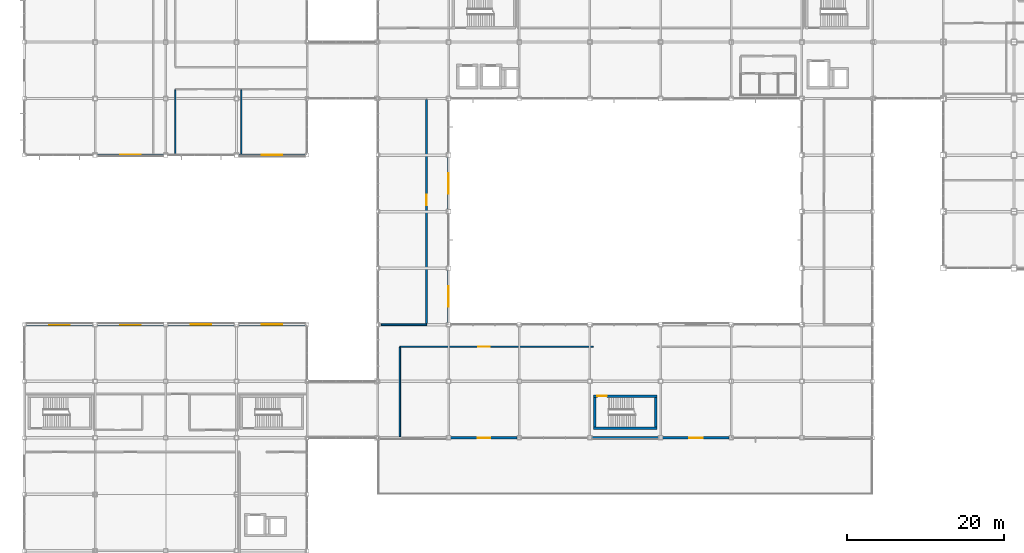
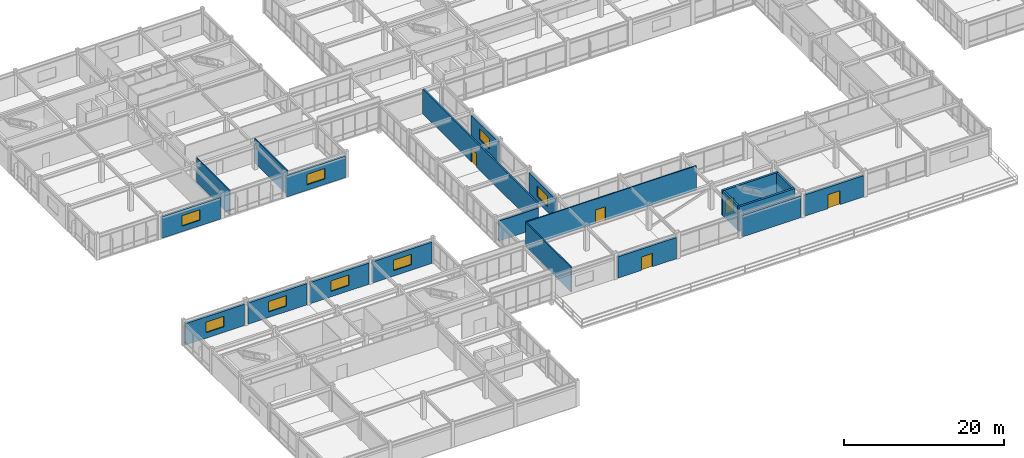
# One storey, part 99 of 122: 21 walls, 8 windows, 5 doors, 13 openings.
"""IFC4 building model written with IfcOpenShell, lengths in metres."""

from ifc_helpers import new_model, si_unit, direction, frame, frame_2d, origin, place, context, subcontext, project, spatial, rectangle, extrude, material, layer, layer_set, type_object, element, fill, save


model = new_model("IFC4")

# Units and contexts
model_context = context("Model", 3, precision=1e-05, world=origin(), true_north=direction((0.0, 1.0)))
body_context = subcontext(model_context, "Body", "Model", "MODEL_VIEW")
ifc_project = project(units=[si_unit("LENGTHUNIT", "METRE"), si_unit("AREAUNIT", "SQUARE_METRE"), si_unit("VOLUMEUNIT", "CUBIC_METRE"), si_unit("PLANEANGLEUNIT", "RADIAN"), si_unit("MASSUNIT", "GRAM", prefix="KILO")], contexts=[model_context])

# Site, building, storey
site_placement = place(None, origin())
site = spatial("IfcSite", under=ifc_project, at=site_placement, CompositionType="ELEMENT")
building_placement = place(site_placement, origin())
building = spatial("IfcBuilding", under=site, at=building_placement, Name="Kazanami Central Library", CompositionType="ELEMENT")
storey_placement = place(building_placement, frame((0.0, 0.0, 4.800048828125)))
storey = spatial("IfcBuildingStorey", under=building, at=storey_placement, Name="L02", CompositionType="ELEMENT", Elevation=4.800048828125)

# Wall, opening, window
ifc_material_1 = material(Name="Concrete Fc36 (36 MPa)", Category="concrete")
ifc_layer_1 = layer(ifc_material_1, 0.219970703125, Name="Concrete Fc36 (36 MPa)")
ifc_material_2 = material(Name="Extruded Polystyrene XPS", Category="earth")
ifc_layer_2 = layer(ifc_material_2, 0.050048828125, Name="Extruded Polystyrene XPS")
ifc_material_3 = material(Name="Honed Inada Granite", Category="masonry")
ifc_layer_3 = layer(ifc_material_3, 0.030029296875, Name="Honed Inada Granite")
ifc_layer_set_1 = layer_set([ifc_layer_1, ifc_layer_2, ifc_layer_3], Name="Concrete Fc36 (36 MPa)")
wall_type_1 = type_object("IfcWallType", Name="WAL-EW-300", PredefinedType="STANDARD", material=ifc_layer_set_1)
wall_1_placement = place(storey_placement, frame((54.0, 42.925048828125, 0.0), z_axis=(0.0, 0.0, 1.0), x_axis=(0.0, -1.0, 0.0)))
wall_1 = element("IfcWall", 1, at=wall_1_placement, inside=storey, type_object=wall_type_1, Name="Exterior Facade Wall EW-300 L02 E-7-05", PredefinedType="STANDARD", context=body_context, shape_type="SweptSolid", body=[
    extrude(rectangle(XDim=6.650146484375, YDim=0.300048828125, at=frame_2d((3.3251953125, 0.0))), origin(), (0.0, 0.0, 1.0), 3.2548828125),
])
opening_1_placement = place(wall_1_placement, frame((2.02490234375, 0.0, 0.85009765625)))
opening_1 = element("IfcOpeningElement", 2, at=opening_1_placement, cuts=wall_1, Name="Opening WN-13", PredefinedType="OPENING", context=body_context, shape_type="SweptSolid", body=[
    extrude(rectangle(XDim=2.60009765625, YDim=1.60009765625, at=frame_2d((1.300048828125, 0.800048828125))), frame((0.0, 0.162109375, 0.0), z_axis=(0.0, -1.0, 0.0), x_axis=(1.0, 0.0, 0.0)), (0.0, 0.0, 1.0), 0.323974609375),
])
ifc_material_4 = material(Name="Low-E Insulated Triple Glass", Category="glass")
window_type = type_object("IfcWindowType", Name="WIN-WN-13", PartitioningType="DOUBLE_PANEL_VERTICAL", PredefinedType="WINDOW", material=ifc_material_4)
window_1_placement = place(opening_1_placement, origin())
window_1 = element("IfcWindow", 3, at=window_1_placement, inside=storey, type_object=window_type, Name="Facade Window WN-13 L02 E-7-05", OverallHeight=1.60009765625, OverallWidth=2.60009765625, PartitioningType="DOUBLE_PANEL_VERTICAL", PredefinedType="WINDOW", context=body_context, shape_type="SweptSolid", body=[
    extrude(rectangle(XDim=2.60009765625, YDim=1.60009765625, at=frame_2d((1.300048828125, 0.800048828125))), frame((0.0, 0.030029296875, 0.0), z_axis=(0.0, -1.0, 0.0), x_axis=(1.0, 0.0, 0.0)), (0.0, 0.0, 1.0), 0.06005859375),
])
fill(opening_1, window_1)

wall_2_placement = place(storey_placement, frame((54.0, 57.324951171875, 0.0), z_axis=(0.0, 0.0, 1.0), x_axis=(0.0, -1.0, 0.0)))
wall_2 = element("IfcWall", 4, at=wall_2_placement, inside=storey, type_object=wall_type_1, Name="Exterior Facade Wall EW-300 L02 E-7-07", PredefinedType="STANDARD", context=body_context, shape_type="SweptSolid", body=[
    extrude(rectangle(XDim=6.64990234375, YDim=0.300048828125, at=frame_2d((3.324951171875, 0.0))), origin(), (0.0, 0.0, 1.0), 3.2548828125),
])
opening_2_placement = place(wall_2_placement, frame((2.02490234375, 0.0, 0.85009765625)))
opening_2 = element("IfcOpeningElement", 5, at=opening_2_placement, cuts=wall_2, Name="Opening WN-13", PredefinedType="OPENING", context=body_context, shape_type="SweptSolid", body=[
    extrude(rectangle(XDim=2.60009765625, YDim=1.60009765625, at=frame_2d((1.300048828125, 0.800048828125))), frame((0.0, 0.162109375, 0.0), z_axis=(0.0, -1.0, 0.0), x_axis=(1.0, 0.0, 0.0)), (0.0, 0.0, 1.0), 0.323974609375),
])
window_2_placement = place(opening_2_placement, origin())
window_2 = element("IfcWindow", 6, at=window_2_placement, inside=storey, type_object=window_type, Name="Facade Window WN-13 L02 E-7-07", OverallHeight=1.60009765625, OverallWidth=2.60009765625, PartitioningType="DOUBLE_PANEL_VERTICAL", PredefinedType="WINDOW", context=body_context, shape_type="SweptSolid", body=[
    extrude(rectangle(XDim=2.60009765625, YDim=1.60009765625, at=frame_2d((1.300048828125, 0.800048828125))), frame((0.0, 0.030029296875, 0.0), z_axis=(0.0, -1.0, 0.0), x_axis=(1.0, 0.0, 0.0)), (0.0, 0.0, 1.0), 0.06005859375),
])
fill(opening_2, window_2)

# Wall, opening, door
ifc_layer_4 = layer(ifc_material_1, 0.239990234375, Name="Concrete Fc36 (36 MPa)")
ifc_layer_5 = layer(ifc_material_2, 0.050048828125, Name="Extruded Polystyrene XPS")
ifc_layer_6 = layer(ifc_material_3, 0.030029296875, Name="Honed Inada Granite")
ifc_layer_set_2 = layer_set([ifc_layer_4, ifc_layer_5, ifc_layer_6], Name="Concrete Fc36 (36 MPa)")
wall_type_2 = type_object("IfcWallType", Name="WAL-EW-320", PredefinedType="STANDARD", material=ifc_layer_set_2)
wall_3_placement = place(storey_placement, frame((54.27490234375, 21.60009765625, 0.0), z_axis=(0.0, 0.0, 1.0), x_axis=(1.0, 0.0, 0.0)))
wall_3 = element("IfcWall", 7, at=wall_3_placement, inside=storey, type_object=wall_type_2, Name="Exterior Facade Wall EW-320 L02 S-D-06", PredefinedType="STANDARD", context=body_context, shape_type="SweptSolid", body=[
    extrude(rectangle(XDim=8.4501953125, YDim=0.320068359375, at=frame_2d((4.22509765625, 0.0))), origin(), (0.0, 0.0, 1.0), 3.2548828125),
])
opening_3_placement = place(wall_3_placement, frame((3.425048828125, 0.0, 0.0)))
opening_3 = element("IfcOpeningElement", 8, at=opening_3_placement, cuts=wall_3, Name="Opening ED-T3", PredefinedType="OPENING", context=body_context, shape_type="SweptSolid", body=[
    extrude(rectangle(XDim=1.60009765625, YDim=2.050048828125, at=frame_2d((0.800048828125, 1.02490234375))), frame((0.0, 0.171875, 0.0), z_axis=(0.0, -1.0, 0.0), x_axis=(1.0, 0.0, 0.0)), (0.0, 0.0, 1.0), 0.343994140625),
])
ifc_material_5 = material(Name="Anodised Aluminium A6063-T5", Category="aluminium")
door_type_1 = type_object("IfcDoorType", Name="DOR-ED-T3", OperationType="DOUBLE_DOOR_SINGLE_SWING", PredefinedType="DOOR", material=ifc_material_5)
door_1_placement = place(opening_3_placement, frame((1.60009765625, 0.0, 0.0), z_axis=(0.0, 0.0, 1.0), x_axis=(-1.0, 0.0, 0.0)))
door_1 = element("IfcDoor", 9, at=door_1_placement, inside=storey, type_object=door_type_1, Name="Reading Terrace Access Door L02 S-D-06", OperationType="DOUBLE_DOOR_SINGLE_SWING", OverallHeight=2.050048828125, OverallWidth=1.60009765625, PredefinedType="DOOR", context=body_context, shape_type="SweptSolid", body=[
    extrude(rectangle(XDim=1.60009765625, YDim=2.050048828125, at=frame_2d((0.800048828125, 1.02490234375))), frame((0.0, 0.02490234375, 0.0), z_axis=(0.0, -1.0, 0.0), x_axis=(1.0, 0.0, 0.0)), (0.0, 0.0, 1.0), 0.050048828125),
])
fill(opening_3, door_1)

# Wall
wall_4_placement = place(storey_placement, frame((72.27490234375, 21.60009765625, 0.0), z_axis=(0.0, 0.0, 1.0), x_axis=(1.0, 0.0, 0.0)))
element("IfcWall", 10, at=wall_4_placement, inside=storey, type_object=wall_type_2, Name="Exterior Facade Wall EW-320 L02 S-D-08", PredefinedType="STANDARD", context=body_context, shape_type="SweptSolid", body=[
    extrude(rectangle(XDim=8.4501953125, YDim=0.320068359375, at=frame_2d((4.22509765625, 0.0))), origin(), (0.0, 0.0, 1.0), 3.2548828125),
])

# Wall, opening, door
wall_5_placement = place(storey_placement, frame((81.27490234375, 21.60009765625, 0.0), z_axis=(0.0, 0.0, 1.0), x_axis=(1.0, 0.0, 0.0)))
wall_5 = element("IfcWall", 11, at=wall_5_placement, inside=storey, type_object=wall_type_2, Name="Exterior Facade Wall EW-320 L02 S-D-09", PredefinedType="STANDARD", context=body_context, shape_type="SweptSolid", body=[
    extrude(rectangle(XDim=8.4501953125, YDim=0.320068359375, at=frame_2d((4.22509765625, 0.0))), origin(), (0.0, 0.0, 1.0), 3.2548828125),
])
opening_4_placement = place(wall_5_placement, frame((3.35009765625, 0.0, 0.0)))
opening_4 = element("IfcOpeningElement", 12, at=opening_4_placement, cuts=wall_5, Name="Opening ED-T6", PredefinedType="OPENING", context=body_context, shape_type="SweptSolid", body=[
    extrude(rectangle(XDim=1.75, YDim=2.1201171875, at=frame_2d((0.875, 1.06005859375))), frame((0.0, 0.171875, 0.0), z_axis=(0.0, -1.0, 0.0), x_axis=(1.0, 0.0, 0.0)), (0.0, 0.0, 1.0), 0.343994140625),
])
door_type_2 = type_object("IfcDoorType", Name="DOR-ED-T6", OperationType="DOUBLE_DOOR_SINGLE_SWING", PredefinedType="DOOR", material=ifc_material_5)
door_2_placement = place(opening_4_placement, frame((1.75, 0.0, 0.0), z_axis=(0.0, 0.0, 1.0), x_axis=(-1.0, 0.0, 0.0)))
door_2 = element("IfcDoor", 13, at=door_2_placement, inside=storey, type_object=door_type_2, Name="Reading Terrace Access Door L02 S-D-09", OperationType="DOUBLE_DOOR_SINGLE_SWING", OverallHeight=2.1201171875, OverallWidth=1.75, PredefinedType="DOOR", context=body_context, shape_type="SweptSolid", body=[
    extrude(rectangle(XDim=1.75, YDim=2.1201171875, at=frame_2d((0.875, 1.06005859375))), frame((0.0, 0.02490234375, 0.0), z_axis=(0.0, -1.0, 0.0), x_axis=(1.0, 0.0, 0.0)), (0.0, 0.0, 1.0), 0.050048828125),
])
fill(opening_4, door_2)

# Wall, opening, window
wall_6_placement = place(storey_placement, frame((8.72509765625, 36.0, 0.0), z_axis=(0.0, 0.0, 1.0), x_axis=(-1.0, 0.0, 0.0)))
wall_6 = element("IfcWall", 14, at=wall_6_placement, inside=storey, type_object=wall_type_2, Name="Exterior Facade Wall EW-320 L02 N-F-00", PredefinedType="STANDARD", context=body_context, shape_type="SweptSolid", body=[
    extrude(rectangle(XDim=8.5, YDim=0.320068359375, at=frame_2d((4.25, 0.0))), origin(), (0.0, 0.0, 1.0), 3.2548828125),
])
opening_5_placement = place(wall_6_placement, frame((2.949951171875, 0.0, 0.85009765625)))
opening_5 = element("IfcOpeningElement", 15, at=opening_5_placement, cuts=wall_6, Name="Opening WN-13", PredefinedType="OPENING", context=body_context, shape_type="SweptSolid", body=[
    extrude(rectangle(XDim=2.60009765625, YDim=1.60009765625, at=frame_2d((1.300048828125, 0.800048828125))), frame((0.0, 0.171875, 0.0), z_axis=(0.0, -1.0, 0.0), x_axis=(1.0, 0.0, 0.0)), (0.0, 0.0, 1.0), 0.343994140625),
])
window_3_placement = place(opening_5_placement, origin())
window_3 = element("IfcWindow", 16, at=window_3_placement, inside=storey, type_object=window_type, Name="Facade Window WN-13 L02 N-F-00", OverallHeight=1.60009765625, OverallWidth=2.60009765625, PartitioningType="DOUBLE_PANEL_VERTICAL", PredefinedType="WINDOW", context=body_context, shape_type="SweptSolid", body=[
    extrude(rectangle(XDim=2.60009765625, YDim=1.60009765625, at=frame_2d((1.300048828125, 0.800048828125))), frame((0.0, 0.030029296875, 0.0), z_axis=(0.0, -1.0, 0.0), x_axis=(1.0, 0.0, 0.0)), (0.0, 0.0, 1.0), 0.06005859375),
])
fill(opening_5, window_3)

wall_7_placement = place(storey_placement, frame((17.72509765625, 36.0, 0.0), z_axis=(0.0, 0.0, 1.0), x_axis=(-1.0, 0.0, 0.0)))
wall_7 = element("IfcWall", 17, at=wall_7_placement, inside=storey, type_object=wall_type_2, Name="Exterior Facade Wall EW-320 L02 N-F-01", PredefinedType="STANDARD", context=body_context, shape_type="SweptSolid", body=[
    extrude(rectangle(XDim=8.4501953125, YDim=0.320068359375, at=frame_2d((4.22509765625, 0.0))), origin(), (0.0, 0.0, 1.0), 3.2548828125),
])
opening_6_placement = place(wall_7_placement, frame((2.925048828125, 0.0, 0.85009765625)))
opening_6 = element("IfcOpeningElement", 18, at=opening_6_placement, cuts=wall_7, Name="Opening WN-13", PredefinedType="OPENING", context=body_context, shape_type="SweptSolid", body=[
    extrude(rectangle(XDim=2.60009765625, YDim=1.60009765625, at=frame_2d((1.300048828125, 0.800048828125))), frame((0.0, 0.171875, 0.0), z_axis=(0.0, -1.0, 0.0), x_axis=(1.0, 0.0, 0.0)), (0.0, 0.0, 1.0), 0.343994140625),
])
window_4_placement = place(opening_6_placement, origin())
window_4 = element("IfcWindow", 19, at=window_4_placement, inside=storey, type_object=window_type, Name="Facade Window WN-13 L02 N-F-01", OverallHeight=1.60009765625, OverallWidth=2.60009765625, PartitioningType="DOUBLE_PANEL_VERTICAL", PredefinedType="WINDOW", context=body_context, shape_type="SweptSolid", body=[
    extrude(rectangle(XDim=2.60009765625, YDim=1.60009765625, at=frame_2d((1.300048828125, 0.800048828125))), frame((0.0, 0.030029296875, 0.0), z_axis=(0.0, -1.0, 0.0), x_axis=(1.0, 0.0, 0.0)), (0.0, 0.0, 1.0), 0.06005859375),
])
fill(opening_6, window_4)

wall_8_placement = place(storey_placement, frame((26.72509765625, 36.0, 0.0), z_axis=(0.0, 0.0, 1.0), x_axis=(-1.0, 0.0, 0.0)))
wall_8 = element("IfcWall", 20, at=wall_8_placement, inside=storey, type_object=wall_type_2, Name="Exterior Facade Wall EW-320 L02 N-F-02", PredefinedType="STANDARD", context=body_context, shape_type="SweptSolid", body=[
    extrude(rectangle(XDim=8.4501953125, YDim=0.320068359375, at=frame_2d((4.22509765625, 0.0))), origin(), (0.0, 0.0, 1.0), 3.2548828125),
])
opening_7_placement = place(wall_8_placement, frame((2.925048828125, 0.0, 0.85009765625)))
opening_7 = element("IfcOpeningElement", 21, at=opening_7_placement, cuts=wall_8, Name="Opening WN-13", PredefinedType="OPENING", context=body_context, shape_type="SweptSolid", body=[
    extrude(rectangle(XDim=2.60009765625, YDim=1.60009765625, at=frame_2d((1.300048828125, 0.800048828125))), frame((0.0, 0.171875, 0.0), z_axis=(0.0, -1.0, 0.0), x_axis=(1.0, 0.0, 0.0)), (0.0, 0.0, 1.0), 0.343994140625),
])
window_5_placement = place(opening_7_placement, origin())
window_5 = element("IfcWindow", 22, at=window_5_placement, inside=storey, type_object=window_type, Name="Facade Window WN-13 L02 N-F-02", OverallHeight=1.60009765625, OverallWidth=2.60009765625, PartitioningType="DOUBLE_PANEL_VERTICAL", PredefinedType="WINDOW", context=body_context, shape_type="SweptSolid", body=[
    extrude(rectangle(XDim=2.60009765625, YDim=1.60009765625, at=frame_2d((1.300048828125, 0.800048828125))), frame((0.0, 0.030029296875, 0.0), z_axis=(0.0, -1.0, 0.0), x_axis=(1.0, 0.0, 0.0)), (0.0, 0.0, 1.0), 0.06005859375),
])
fill(opening_7, window_5)

wall_9_placement = place(storey_placement, frame((35.77490234375, 36.0, 0.0), z_axis=(0.0, 0.0, 1.0), x_axis=(-1.0, 0.0, 0.0)))
wall_9 = element("IfcWall", 23, at=wall_9_placement, inside=storey, type_object=wall_type_2, Name="Exterior Facade Wall EW-320 L02 N-F-03", PredefinedType="STANDARD", context=body_context, shape_type="SweptSolid", body=[
    extrude(rectangle(XDim=8.5, YDim=0.320068359375, at=frame_2d((4.25, 0.0))), origin(), (0.0, 0.0, 1.0), 3.2548828125),
])
opening_8_placement = place(wall_9_placement, frame((2.949951171875, 0.0, 0.85009765625)))
opening_8 = element("IfcOpeningElement", 24, at=opening_8_placement, cuts=wall_9, Name="Opening WN-13", PredefinedType="OPENING", context=body_context, shape_type="SweptSolid", body=[
    extrude(rectangle(XDim=2.60009765625, YDim=1.60009765625, at=frame_2d((1.300048828125, 0.800048828125))), frame((0.0, 0.171875, 0.0), z_axis=(0.0, -1.0, 0.0), x_axis=(1.0, 0.0, 0.0)), (0.0, 0.0, 1.0), 0.343994140625),
])
window_6_placement = place(opening_8_placement, origin())
window_6 = element("IfcWindow", 25, at=window_6_placement, inside=storey, type_object=window_type, Name="Facade Window WN-13 L02 N-F-03", OverallHeight=1.60009765625, OverallWidth=2.60009765625, PartitioningType="DOUBLE_PANEL_VERTICAL", PredefinedType="WINDOW", context=body_context, shape_type="SweptSolid", body=[
    extrude(rectangle(XDim=2.60009765625, YDim=1.60009765625, at=frame_2d((1.300048828125, 0.800048828125))), frame((0.0, 0.030029296875, 0.0), z_axis=(0.0, -1.0, 0.0), x_axis=(1.0, 0.0, 0.0)), (0.0, 0.0, 1.0), 0.06005859375),
])
fill(opening_8, window_6)

wall_10_placement = place(storey_placement, frame((9.27490234375, 57.60009765625, 0.0), z_axis=(0.0, 0.0, 1.0), x_axis=(1.0, 0.0, 0.0)))
wall_10 = element("IfcWall", 26, at=wall_10_placement, inside=storey, type_object=wall_type_2, Name="Exterior Facade Wall EW-320 L02 S-J-01", PredefinedType="STANDARD", context=body_context, shape_type="SweptSolid", body=[
    extrude(rectangle(XDim=8.4501953125, YDim=0.320068359375, at=frame_2d((4.22509765625, 0.0))), origin(), (0.0, 0.0, 1.0), 3.2548828125),
])
opening_9_placement = place(wall_10_placement, frame((2.925048828125, 0.0, 0.85009765625)))
opening_9 = element("IfcOpeningElement", 27, at=opening_9_placement, cuts=wall_10, Name="Opening WN-13", PredefinedType="OPENING", context=body_context, shape_type="SweptSolid", body=[
    extrude(rectangle(XDim=2.60009765625, YDim=1.60009765625, at=frame_2d((1.300048828125, 0.800048828125))), frame((0.0, 0.171875, 0.0), z_axis=(0.0, -1.0, 0.0), x_axis=(1.0, 0.0, 0.0)), (0.0, 0.0, 1.0), 0.343994140625),
])
window_7_placement = place(opening_9_placement, origin())
window_7 = element("IfcWindow", 28, at=window_7_placement, inside=storey, type_object=window_type, Name="Facade Window WN-13 L02 S-J-01", OverallHeight=1.60009765625, OverallWidth=2.60009765625, PartitioningType="DOUBLE_PANEL_VERTICAL", PredefinedType="WINDOW", context=body_context, shape_type="SweptSolid", body=[
    extrude(rectangle(XDim=2.60009765625, YDim=1.60009765625, at=frame_2d((1.300048828125, 0.800048828125))), frame((0.0, 0.030029296875, 0.0), z_axis=(0.0, -1.0, 0.0), x_axis=(1.0, 0.0, 0.0)), (0.0, 0.0, 1.0), 0.06005859375),
])
fill(opening_9, window_7)

wall_11_placement = place(storey_placement, frame((27.27490234375, 57.60009765625, 0.0), z_axis=(0.0, 0.0, 1.0), x_axis=(1.0, 0.0, 0.0)))
wall_11 = element("IfcWall", 29, at=wall_11_placement, inside=storey, type_object=wall_type_2, Name="Exterior Facade Wall EW-320 L02 S-J-03", PredefinedType="STANDARD", context=body_context, shape_type="SweptSolid", body=[
    extrude(rectangle(XDim=8.5, YDim=0.320068359375, at=frame_2d((4.25, 0.0))), origin(), (0.0, 0.0, 1.0), 3.2548828125),
])
opening_10_placement = place(wall_11_placement, frame((2.949951171875, 0.0, 0.85009765625)))
opening_10 = element("IfcOpeningElement", 30, at=opening_10_placement, cuts=wall_11, Name="Opening WN-13", PredefinedType="OPENING", context=body_context, shape_type="SweptSolid", body=[
    extrude(rectangle(XDim=2.60009765625, YDim=1.60009765625, at=frame_2d((1.300048828125, 0.800048828125))), frame((0.0, 0.171875, 0.0), z_axis=(0.0, -1.0, 0.0), x_axis=(1.0, 0.0, 0.0)), (0.0, 0.0, 1.0), 0.343994140625),
])
window_8_placement = place(opening_10_placement, origin())
window_8 = element("IfcWindow", 31, at=window_8_placement, inside=storey, type_object=window_type, Name="Facade Window WN-13 L02 S-J-03", OverallHeight=1.60009765625, OverallWidth=2.60009765625, PartitioningType="DOUBLE_PANEL_VERTICAL", PredefinedType="WINDOW", context=body_context, shape_type="SweptSolid", body=[
    extrude(rectangle(XDim=2.60009765625, YDim=1.60009765625, at=frame_2d((1.300048828125, 0.800048828125))), frame((0.0, 0.030029296875, 0.0), z_axis=(0.0, -1.0, 0.0), x_axis=(1.0, 0.0, 0.0)), (0.0, 0.0, 1.0), 0.06005859375),
])
fill(opening_10, window_8)

# Wall, opening, door
ifc_material_6 = material(Name="Fire-Resistant Gypsum Board GB-F", Category="gypsum")
ifc_layer_7 = layer(ifc_material_6, 0.1650390625, Name="Fire-Resistant Gypsum Board GB-F")
ifc_layer_set_3 = layer_set([ifc_layer_7], Name="Fire-Resistant Gypsum Board GB-F")
wall_type_3 = type_object("IfcWallType", Name="WAL-FW-165", PredefinedType="PARTITIONING", material=ifc_layer_set_3)
wall_12_placement = place(storey_placement, frame((47.800048828125, 33.199951171875, 0.0), z_axis=(0.0, 0.0, 1.0), x_axis=(1.0, 0.0, 0.0)))
wall_12 = element("IfcWall", 32, at=wall_12_placement, inside=storey, type_object=wall_type_3, Name="Interior Partition FW-165 L02 RM-29 (North)", PredefinedType="PARTITIONING", context=body_context, shape_type="SweptSolid", body=[
    extrude(rectangle(XDim=24.599853515625, YDim=0.1650390625, at=frame_2d((12.2998046875, 0.0))), origin(), (0.0, 0.0, 1.0), 3.7548828125),
])
opening_11_placement = place(wall_12_placement, frame((9.97509765625, 0.0, 0.0)))
opening_11 = element("IfcOpeningElement", 33, at=opening_11_placement, cuts=wall_12, Name="Opening FD30-6", PredefinedType="OPENING", context=body_context, shape_type="SweptSolid", body=[
    extrude(rectangle(XDim=1.449951171875, YDim=2.10009765625, at=frame_2d((0.72509765625, 1.050048828125))), frame((0.0, 0.094482421875, 0.0), z_axis=(0.0, -1.0, 0.0), x_axis=(1.0, 0.0, 0.0)), (0.0, 0.0, 1.0), 0.18896484375),
])
ifc_material_7 = material(Name="Cold-Rolled Steel SPCC", Category="steel")
door_type_3 = type_object("IfcDoorType", Name="DOR-FD30-6", OperationType="DOUBLE_DOOR_SINGLE_SWING", PredefinedType="DOOR", material=ifc_material_7)
door_3_placement = place(opening_11_placement, origin())
door_3 = element("IfcDoor", 34, at=door_3_placement, inside=storey, type_object=door_type_3, Name="Interior Door FD30-6 L02 RM-29", OperationType="DOUBLE_DOOR_SINGLE_SWING", OverallHeight=2.10009765625, OverallWidth=1.449951171875, PredefinedType="DOOR", context=body_context, shape_type="SweptSolid", body=[
    extrude(rectangle(XDim=1.449951171875, YDim=2.10009765625, at=frame_2d((0.72509765625, 1.050048828125))), frame((0.0, 0.02490234375, 0.0), z_axis=(0.0, -1.0, 0.0), x_axis=(1.0, 0.0, 0.0)), (0.0, 0.0, 1.0), 0.050048828125),
])
fill(opening_11, door_3)

# Walls
wall_13_placement = place(storey_placement, frame((47.800048828125, 21.764892578125, 0.0), z_axis=(0.0, 0.0, 1.0), x_axis=(0.0, 1.0, 0.0)))
element("IfcWall", 35, at=wall_13_placement, inside=storey, type_object=wall_type_3, Name="Interior Partition FW-165 L02 RM-29 (West)", PredefinedType="PARTITIONING", context=body_context, shape_type="SweptSolid", body=[
    extrude(rectangle(XDim=11.34521484375, YDim=0.1650390625, at=frame_2d((5.672607421875, 0.0))), origin(), (0.0, 0.0, 1.0), 3.7548828125),
])
ifc_layer_8 = layer(ifc_material_6, 0.219970703125, Name="Fire-Resistant Gypsum Board GB-F")
ifc_layer_set_4 = layer_set([ifc_layer_8], Name="Fire-Resistant Gypsum Board GB-F")
wall_type_4 = type_object("IfcWallType", Name="WAL-FW-220", PredefinedType="PARTITIONING", material=ifc_layer_set_4)
wall_14_placement = place(storey_placement, frame((45.455078125, 36.0, 0.0), z_axis=(0.0, 0.0, 1.0), x_axis=(1.0, 0.0, 0.0)))
element("IfcWall", 36, at=wall_14_placement, inside=storey, type_object=wall_type_4, Name="Interior Partition FW-220 L02 RM-31 (South)", PredefinedType="PARTITIONING", context=body_context, shape_type="SweptSolid", body=[
    extrude(rectangle(XDim=5.744873046875, YDim=0.219970703125, at=frame_2d((2.87255859375, 0.0))), origin(), (0.0, 0.0, 1.0), 3.034912109375),
])

# Wall, opening, door
wall_15_placement = place(storey_placement, frame((51.199951171875, 36.090087890625, 0.0), z_axis=(0.0, 0.0, 1.0), x_axis=(0.0, 1.0, 0.0)))
wall_15 = element("IfcWall", 37, at=wall_15_placement, inside=storey, type_object=wall_type_4, Name="Interior Partition FW-220 L02 RM-31 (East)", PredefinedType="PARTITIONING", context=body_context, shape_type="SweptSolid", body=[
    extrude(rectangle(XDim=28.619873046875, YDim=0.219970703125, at=frame_2d((14.31005859375, 0.0))), origin(), (0.0, 0.0, 1.0), 3.7548828125),
])
opening_12_placement = place(wall_15_placement, frame((15.110107421875, 0.0, 0.0)))
opening_12 = element("IfcOpeningElement", 38, at=opening_12_placement, cuts=wall_15, Name="Opening FD60-7", PredefinedType="OPENING", context=body_context, shape_type="SweptSolid", body=[
    extrude(rectangle(XDim=1.35009765625, YDim=2.080078125, at=frame_2d((0.675048828125, 1.0400390625))), frame((0.0, 0.1220703125, 0.0), z_axis=(0.0, -1.0, 0.0), x_axis=(1.0, 0.0, 0.0)), (0.0, 0.0, 1.0), 0.243896484375),
])
door_type_4 = type_object("IfcDoorType", Name="DOR-FD60-7", OperationType="DOUBLE_DOOR_SINGLE_SWING", PredefinedType="DOOR", material=ifc_material_7)
door_4_placement = place(opening_12_placement, origin())
door_4 = element("IfcDoor", 39, at=door_4_placement, inside=storey, type_object=door_type_4, Name="Interior Door FD60-7 L02 RM-31", OperationType="DOUBLE_DOOR_SINGLE_SWING", OverallHeight=2.080078125, OverallWidth=1.35009765625, PredefinedType="DOOR", context=body_context, shape_type="SweptSolid", body=[
    extrude(rectangle(XDim=1.35009765625, YDim=2.080078125, at=frame_2d((0.675048828125, 1.0400390625))), frame((0.0, 0.02490234375, 0.0), z_axis=(0.0, -1.0, 0.0), x_axis=(1.0, 0.0, 0.0)), (0.0, 0.0, 1.0), 0.050048828125),
])
fill(opening_12, door_4)

# Walls
ifc_material_8 = material(Name="Gypsum Plasterboard GB-R", Category="gypsum")
ifc_layer_9 = layer(ifc_material_8, 0.135009765625, Name="Gypsum Plasterboard GB-R")
ifc_layer_set_5 = layer_set([ifc_layer_9], Name="Gypsum Plasterboard GB-R")
wall_type_5 = type_object("IfcWallType", Name="WAL-PW-135", PredefinedType="PARTITIONING", material=ifc_layer_set_5)
wall_16_placement = place(storey_placement, frame((19.199951171875, 57.635009765625, 0.0), z_axis=(0.0, 0.0, 1.0), x_axis=(0.0, 1.0, 0.0)))
element("IfcWall", 40, at=wall_16_placement, inside=storey, type_object=wall_type_5, Name="Interior Partition PW-135 L02 RM-18 (West)", PredefinedType="PARTITIONING", context=body_context, shape_type="SweptSolid", body=[
    extrude(rectangle(XDim=8.27490234375, YDim=0.135009765625, at=frame_2d((4.137451171875, 0.0))), origin(), (0.0, 0.0, 1.0), 3.7548828125),
])
wall_17_placement = place(storey_placement, frame((27.60009765625, 57.764892578125, 0.0), z_axis=(0.0, 0.0, 1.0), x_axis=(0.0, 1.0, 0.0)))
element("IfcWall", 41, at=wall_17_placement, inside=storey, type_object=wall_type_5, Name="Interior Partition PW-135 L02 RM-18 (East)", PredefinedType="PARTITIONING", context=body_context, shape_type="SweptSolid", body=[
    extrude(rectangle(XDim=8.14501953125, YDim=0.135009765625, at=frame_2d((4.072509765625, 0.0))), origin(), (0.0, 0.0, 1.0), 3.7548828125),
])
ifc_layer_10 = layer(ifc_material_1, 0.300048828125, Name="Concrete Fc36 (36 MPa)")
ifc_layer_set_6 = layer_set([ifc_layer_10], Name="Concrete Fc36 (36 MPa)")
wall_type_6 = type_object("IfcWallType", Name="WAL-SW-300", PredefinedType="SHEAR", material=ifc_layer_set_6)
wall_18_placement = place(storey_placement, frame((72.449951171875, 22.800048828125, 0.0), z_axis=(0.0, 0.0, 1.0), x_axis=(1.0, 0.0, 0.0)))
element("IfcWall", 42, at=wall_18_placement, inside=storey, type_object=wall_type_6, Name="Stair Core Wall ST-09 South L02", PredefinedType="SHEAR", context=body_context, shape_type="SweptSolid", body=[
    extrude(rectangle(XDim=8.10009765625, YDim=0.300048828125, at=frame_2d((4.050048828125, 0.0))), origin(), (0.0, 0.0, 1.0), 3.7548828125),
])

# Wall, opening, door
wall_19_placement = place(storey_placement, frame((72.449951171875, 26.89990234375, 0.0), z_axis=(0.0, 0.0, 1.0), x_axis=(1.0, 0.0, 0.0)))
wall_19 = element("IfcWall", 43, at=wall_19_placement, inside=storey, type_object=wall_type_6, Name="Stair Core Wall ST-09 North L02", PredefinedType="SHEAR", context=body_context, shape_type="SweptSolid", body=[
    extrude(rectangle(XDim=8.10009765625, YDim=0.300048828125, at=frame_2d((4.050048828125, 0.0))), origin(), (0.0, 0.0, 1.0), 3.7548828125),
])
opening_13_placement = place(wall_19_placement, frame((0.5, 0.0, 0.0)))
opening_13 = element("IfcOpeningElement", 44, at=opening_13_placement, cuts=wall_19, Name="Opening FD60-1", PredefinedType="OPENING", context=body_context, shape_type="SweptSolid", body=[
    extrude(rectangle(XDim=1.199951171875, YDim=2.10009765625, at=frame_2d((0.60009765625, 1.050048828125))), frame((0.0, 0.162109375, 0.0), z_axis=(0.0, -1.0, 0.0), x_axis=(1.0, 0.0, 0.0)), (0.0, 0.0, 1.0), 0.323974609375),
])
door_type_5 = type_object("IfcDoorType", Name="DOR-FD60-1", OperationType="NOTDEFINED", PredefinedType="DOOR", material=ifc_material_7)
door_5_placement = place(opening_13_placement, frame((1.199951171875, 0.0, 0.0), z_axis=(0.0, 0.0, 1.0), x_axis=(-1.0, 0.0, 0.0)))
door_5 = element("IfcDoor", 45, at=door_5_placement, inside=storey, type_object=door_type_5, Name="Escape Stair ST-09 Fire Door L02", OperationType="SINGLE_SWING_RIGHT", OverallHeight=2.10009765625, OverallWidth=1.199951171875, PredefinedType="DOOR", context=body_context, shape_type="SweptSolid", body=[
    extrude(rectangle(XDim=1.199951171875, YDim=2.10009765625, at=frame_2d((0.60009765625, 1.050048828125))), frame((0.0, 0.02490234375, 0.0), z_axis=(0.0, -1.0, 0.0), x_axis=(1.0, 0.0, 0.0)), (0.0, 0.0, 1.0), 0.050048828125),
])
fill(opening_13, door_5)

# Walls
for number, where, z_axis, x_axis, name in (
    (46, (72.60009765625, 22.949951171875, 0.0), (0.0, 0.0, 1.0), (0.0, 1.0, 0.0), "Stair Core Wall ST-09 West L02"),
    (47, (80.39990234375, 22.949951171875, 0.0), (0.0, 0.0, 1.0), (0.0, 1.0, 0.0), "Stair Core Wall ST-09 East L02"),
):
    element("IfcWall", number, at=place(storey_placement, frame(where, z_axis=z_axis, x_axis=x_axis)), inside=storey, type_object=wall_type_6, Name=name, PredefinedType="SHEAR", context=body_context, shape_type="SweptSolid", body=[
        extrude(rectangle(XDim=3.800048828125, YDim=0.300048828125, at=frame_2d((1.89990234375, 0.0))), origin(), (0.0, 0.0, 1.0), 3.7548828125),
    ])

save(model, "model.ifc")
